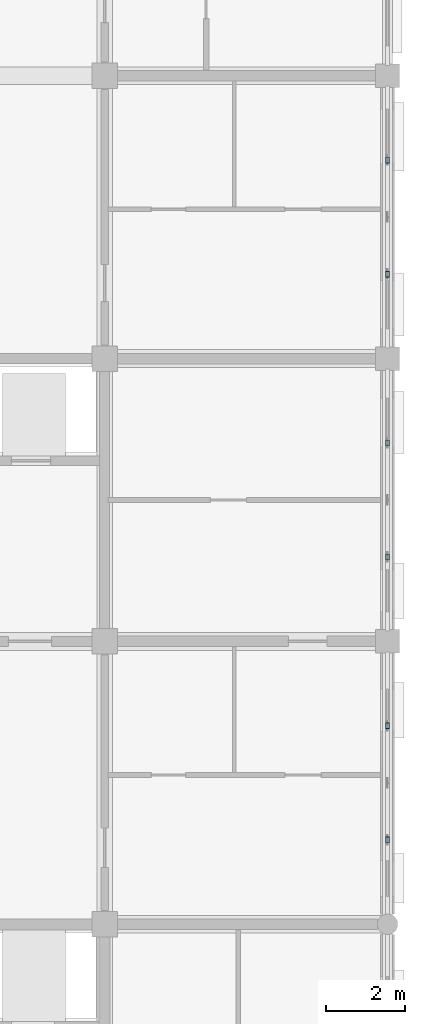
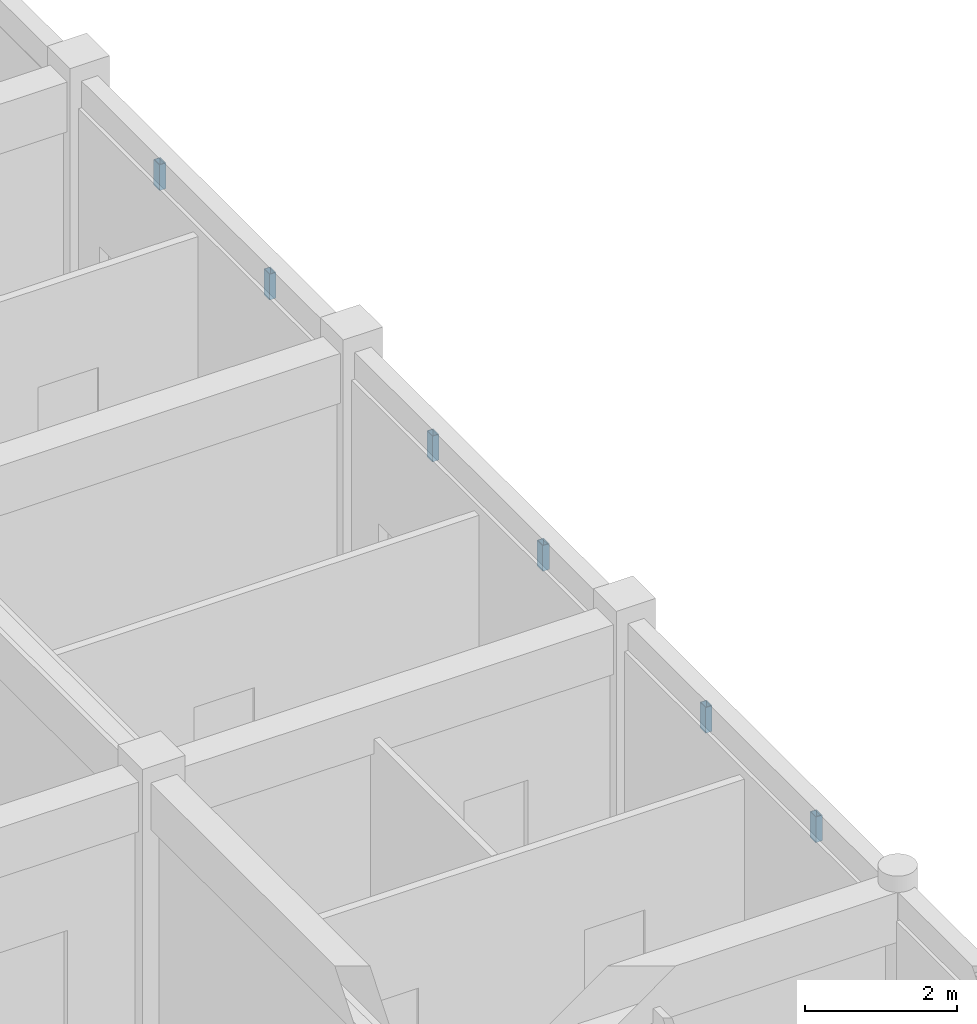
# One storey, part 53 of 138: 6 members.
"""IFC4 building model written with IfcOpenShell, lengths in metres."""

import ifcopenshell
import ifcopenshell.guid

model = None  # the IFC model being written
_history = None  # IfcOwnerHistory: only IFC2X3 demands one
_inside = {}  # id of a spatial element -> (the spatial element, [elements in it])
_under = {}  # id of a project, library or spatial element -> (it, [spatial elements below it])
_declared = {}  # id of a project -> (the project, [libraries it declares])
_typed = {}  # id of a type object -> (the type object, [elements of that type])
_made_of = {}  # id of a material, layer set ... -> (it, [elements and type objects made of it])


def new_model(schema):
    """Start an empty IFC model of exactly this schema.

    Asked for "IFC4X3", IfcOpenShell would pick the latest addendum, in which some entities
    have other attributes; the version numbers below select the first issue.
    IFC2X3 requires an IfcOwnerHistory on every rooted entity: one is made here for all.
    """
    global model, _history
    if schema == "IFC4X3":
        model = ifcopenshell.file(schema_version=(4, 3, 0, 0))
    else:
        model = ifcopenshell.file(schema=schema)
    _inside.clear()
    _under.clear()
    _declared.clear()
    _typed.clear()
    _made_of.clear()
    _history = None
    if model.schema == "IFC2X3":
        org = make("IfcOrganization", Name="unknown")
        user = make(
            "IfcPersonAndOrganization",
            ThePerson=make("IfcPerson", FamilyName="unknown"),
            TheOrganization=org,
        )
        app = make(
            "IfcApplication",
            ApplicationDeveloper=org,
            Version="unknown",
            ApplicationFullName="unknown",
            ApplicationIdentifier="unknown",
        )
        _history = make(
            "IfcOwnerHistory",
            OwningUser=user,
            OwningApplication=app,
            ChangeAction="ADDED",
            CreationDate=0,
        )
    return model


def make(cls, **values):
    """One entity of the class cls with the attributes given. An attribute that is None is left unset."""
    return model.create_entity(
        cls, **{name: value for name, value in values.items() if value is not None}
    )


def rooted(cls, **values):
    """An entity with a GlobalId (a new one), such as an element, a storey or a relation."""
    return make(cls, GlobalId=ifcopenshell.guid.new(), OwnerHistory=_history, **values)


def si_unit(unit_type, name, prefix=None):
    """IfcSIUnit, for example si_unit("LENGTHUNIT", "METRE", prefix="MILLI")."""
    return make("IfcSIUnit", UnitType=unit_type, Prefix=prefix, Name=name)


def assignment(units):
    """IfcUnitAssignment: the units of a project."""
    return None if units is None else make("IfcUnitAssignment", Units=units)


def point(xyz):
    """IfcCartesianPoint."""
    return None if xyz is None else make("IfcCartesianPoint", Coordinates=xyz)


def direction(xyz):
    """IfcDirection."""
    return None if xyz is None else make("IfcDirection", DirectionRatios=xyz)


def frame(location, z_axis=None, x_axis=None):
    """IfcAxis2Placement3D, a coordinate frame: its origin and axes. An axis left out is left unset."""
    return make(
        "IfcAxis2Placement3D",
        Location=point(location),
        Axis=direction(z_axis),
        RefDirection=direction(x_axis),
    )


def frame_2d(location, x_axis=None):
    """IfcAxis2Placement2D, a coordinate frame in the plane: its origin and x axis."""
    return make(
        "IfcAxis2Placement2D", Location=point(location), RefDirection=direction(x_axis)
    )


def origin():
    """The frame at (0, 0, 0) with its axes left unset."""
    return frame((0.0, 0.0, 0.0))


def origin_2d():
    """The frame at (0, 0) in the plane with its x axis left unset."""
    return frame_2d((0.0, 0.0))


def place(relative_to, where):
    """IfcLocalPlacement: puts the frame where relative to a parent placement (None: the world)."""
    return make(
        "IfcLocalPlacement", PlacementRelTo=relative_to, RelativePlacement=where
    )


def context(
    kind, dimensions, precision=None, world=None, true_north=None, identifier=None
):
    """IfcGeometricRepresentationContext, for example the 3D "Model" context."""
    return make(
        "IfcGeometricRepresentationContext",
        ContextIdentifier=identifier,
        ContextType=kind,
        CoordinateSpaceDimension=dimensions,
        Precision=precision,
        WorldCoordinateSystem=world,
        TrueNorth=true_north,
    )


def subcontext(parent, identifier, kind, view, scale=None):
    """IfcGeometricRepresentationSubContext, for example "Body" below "Model"."""
    return make(
        "IfcGeometricRepresentationSubContext",
        ContextIdentifier=identifier,
        ContextType=kind,
        ParentContext=parent,
        TargetScale=scale,
        TargetView=view,
    )


def project(units=None, contexts=None):
    """IfcProject with its units and contexts."""
    return rooted(
        "IfcProject",
        Name="project",
        RepresentationContexts=contexts,
        UnitsInContext=assignment(units),
    )


def spatial(cls, under=None, at=None, **own):
    """A site, building, storey or space (cls), placed at a placement, below another one or the project."""
    s = rooted(cls, ObjectPlacement=at, **own)
    if under is not None:
        _under.setdefault(under.id(), (under, []))[1].append(s)
    return s


def profile(cls, at=None, kind="AREA", **sizes):
    """A parametric profile (cls). Its sizes go by their IFC names, for example OverallWidth=200.0."""
    return make(cls, ProfileType=kind, Position=at, **sizes)


def hollow_rectangle(**sizes):
    """IfcRectangleHollowProfileDef."""
    return profile("IfcRectangleHollowProfileDef", **sizes)


def extrude(swept, where, along, depth):
    """IfcExtrudedAreaSolid: the profile swept, set in the frame where, extruded along a direction by depth."""
    return make(
        "IfcExtrudedAreaSolid",
        SweptArea=swept,
        Position=where,
        ExtrudedDirection=direction(along),
        Depth=depth,
    )


def shape(context_of_items, identifier, shape_type, items):
    """IfcShapeRepresentation: the items that make up one representation, for example the "Body"."""
    return make(
        "IfcShapeRepresentation",
        ContextOfItems=context_of_items,
        RepresentationIdentifier=identifier,
        RepresentationType=shape_type,
        Items=items,
    )


def material(Name=None, Category=None):
    """IfcMaterial."""
    return make("IfcMaterial", Name=Name, Category=Category)


def material_profile(
    of_material, cross_section, Name=None, Category=None, Priority=None
):
    """IfcMaterialProfile: a cross section and its material."""
    return make(
        "IfcMaterialProfile",
        Name=Name,
        Material=of_material,
        Profile=cross_section,
        Priority=Priority,
        Category=Category,
    )


def profile_set(profiles, Name=None, composite=None):
    """IfcMaterialProfileSet."""
    return make(
        "IfcMaterialProfileSet",
        Name=Name,
        MaterialProfiles=profiles,
        CompositeProfile=composite,
    )


def made_of(thing, what):
    """Note that an element or type object is made of a material, layer set ...; save() writes the relation."""
    if what is not None:
        _made_of.setdefault(what.id(), (what, []))[1].append(thing)
    return thing


def type_object(cls, material=None, **own):
    """A type object (cls), such as IfcWallType, which elements share."""
    return made_of(rooted(cls, **own), material)


def element(
    cls,
    number,
    at=None,
    inside=None,
    cuts=None,
    type_object=None,
    material=None,
    context=None,
    identifier="Body",
    shape_type=None,
    held_by="IfcProductDefinitionShape",
    body=None,
    shapes=None,
    **own,
):
    """One element of the class cls, such as IfcWall. Its Tag is "e" and its number.

    at: its placement. inside: the storey or other place that contains it. cuts: it is an
    opening in that element (IfcRelVoidsElement). A single representation is given by context,
    identifier, shape_type and body (its items); several are given by shapes. held_by: the class
    of the entity that holds the representations. save() writes the other relations.
    """
    e = rooted(cls, Tag="e%d" % number, ObjectPlacement=at, **own)
    if body is not None:
        shapes = [shape(context, identifier, shape_type, body)]
    if shapes is not None:
        e.Representation = make(held_by, Representations=shapes)
    if inside is not None:
        _inside.setdefault(inside.id(), (inside, []))[1].append(e)
    if cuts is not None:
        rooted(
            "IfcRelVoidsElement", RelatingBuildingElement=cuts, RelatedOpeningElement=e
        )
    if type_object is not None:
        _typed.setdefault(type_object.id(), (type_object, []))[1].append(e)
    return made_of(e, material)


def aggregate(whole, parts):
    """IfcRelAggregates: a whole, such as a stair, and the parts it consists of."""
    return rooted("IfcRelAggregates", RelatingObject=whole, RelatedObjects=parts)


def save(model, path):
    """Write the relations noted so far, then the file.

    IfcRelAggregates (storeys below a building ...), IfcRelContainedInSpatialStructure (elements
    in a storey), IfcRelDefinesByType, IfcRelAssociatesMaterial and IfcRelDeclares: one each for
    every whole, place, type object, material and project.
    """
    for whole, parts in _under.values():
        aggregate(whole, parts)
    for where, things in _inside.values():
        rooted(
            "IfcRelContainedInSpatialStructure",
            RelatedElements=things,
            RelatingStructure=where,
        )
    for kind, things in _typed.values():
        rooted("IfcRelDefinesByType", RelatedObjects=things, RelatingType=kind)
    for what, things in _made_of.values():
        rooted("IfcRelAssociatesMaterial", RelatedObjects=things, RelatingMaterial=what)
    for by, libraries in _declared.values():
        rooted("IfcRelDeclares", RelatingContext=by, RelatedDefinitions=libraries)
    model.write(path)


model = new_model("IFC4")

# Units and contexts
model_context = context("Model", 3, precision=1e-05, world=origin(), true_north=direction((0.0, 1.0)))
body_context = subcontext(model_context, "Body", "Model", "MODEL_VIEW")
ifc_project = project(units=[si_unit("LENGTHUNIT", "METRE"), si_unit("AREAUNIT", "SQUARE_METRE"), si_unit("VOLUMEUNIT", "CUBIC_METRE"), si_unit("PLANEANGLEUNIT", "RADIAN"), si_unit("MASSUNIT", "GRAM", prefix="KILO"), si_unit("THERMODYNAMICTEMPERATUREUNIT", "KELVIN"), si_unit("POWERUNIT", "WATT")], contexts=[model_context])

# Site, building, storey
site_placement = place(None, origin())
site = spatial("IfcSite", under=ifc_project, at=site_placement, CompositionType="ELEMENT")
building_placement = place(site_placement, origin())
building = spatial("IfcBuilding", under=site, at=building_placement, Name="Tavuni Mirador Residences", CompositionType="ELEMENT")
storey_placement = place(building_placement, origin())
storey = spatial("IfcBuildingStorey", under=building, at=storey_placement, Name="L00", CompositionType="ELEMENT", Elevation=0.0)

# Members
ifc_material = material(Name="Structural steel S355", Category="steel")
ifc_material_profile = material_profile(ifc_material, hollow_rectangle(XDim=0.10009765625, YDim=0.14990234375, WallThickness=0.008056640625, at=origin_2d()), Name="RHS 150x100x8.0", Category="steel")
ifc_profile_set = profile_set([ifc_material_profile], Name="Structural steel S355")
member_type = type_object("IfcMemberType", Name="MT-BR-RHS150", PredefinedType="BRACE", material=ifc_profile_set)
for number, where, z_axis, x_axis, name in (
    (1, (118.800048828125, 102.947998046875, 3.615478515625), (0.0, 0.0, 1.0), (1.0, 0.0, 0.0), "ARCH-BLKD-E-02-V1"),
    (2, (118.800048828125, 105.85205078125, 3.615478515625), (0.0, 0.0, 1.0), (1.0, 0.0, 0.0), "ARCH-BLKD-E-02-V2"),
    (3, (118.800048828125, 110.14794921875, 3.615478515625), (0.0, 0.0, 1.0), (1.0, 0.0, 0.0), "ARCH-BLKD-E-03-V1"),
    (4, (118.800048828125, 113.052001953125, 3.615478515625), (0.0, 0.0, 1.0), (1.0, 0.0, 0.0), "ARCH-BLKD-E-03-V2"),
    (5, (118.800048828125, 117.347900390625, 3.615478515625), (0.0, 0.0, 1.0), (1.0, 0.0, 0.0), "ARCH-BLKD-E-04-V1"),
    (6, (118.800048828125, 120.251953125, 3.615478515625), (0.0, 0.0, 1.0), (1.0, 0.0, 0.0), "ARCH-BLKD-E-04-V2"),
):
    element("IfcMember", number, at=place(storey_placement, frame(where, z_axis=z_axis, x_axis=x_axis)), inside=storey, type_object=member_type, Name=name, PredefinedType="BRACE", context=body_context, shape_type="SweptSolid", body=[
        extrude(hollow_rectangle(XDim=0.10009765625, YDim=0.14990234375, WallThickness=0.008056640625, at=origin_2d()), origin(), (0.0, 0.0, 1.0), 0.41455078125),
    ])

save(model, "model.ifc")
